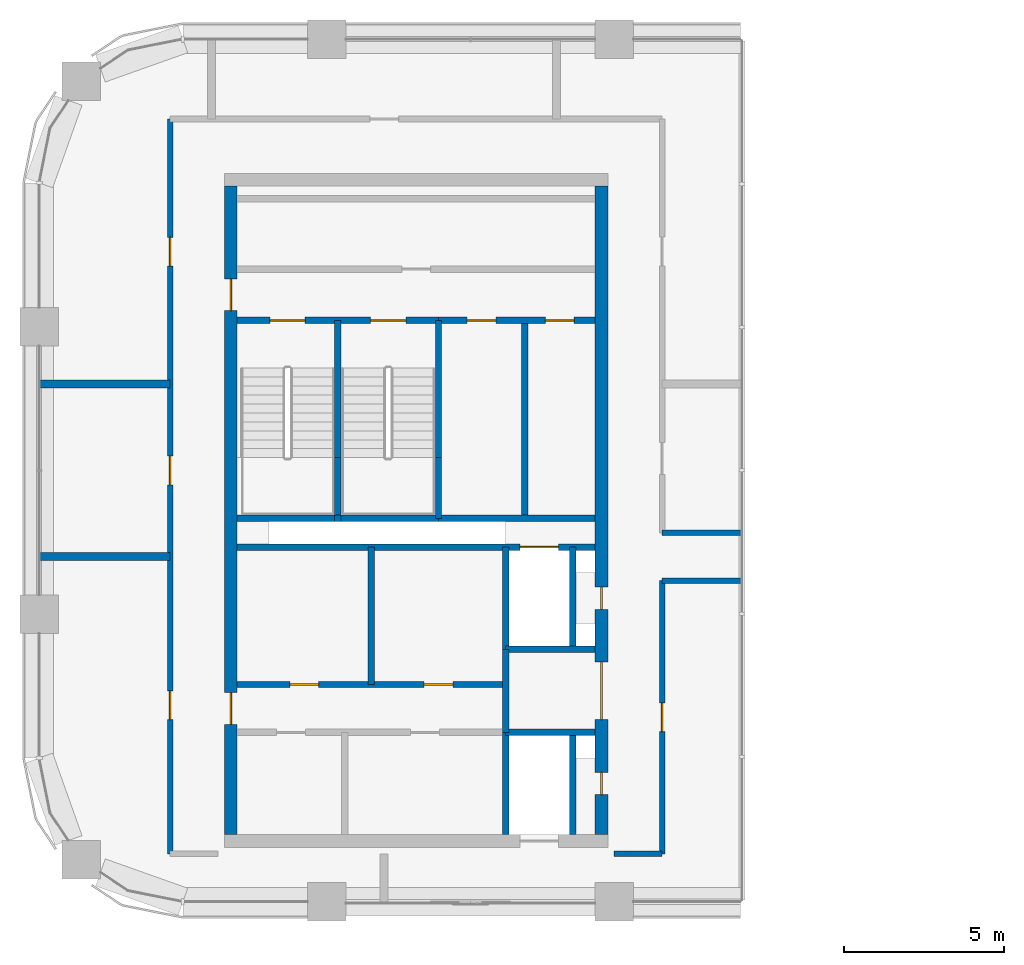
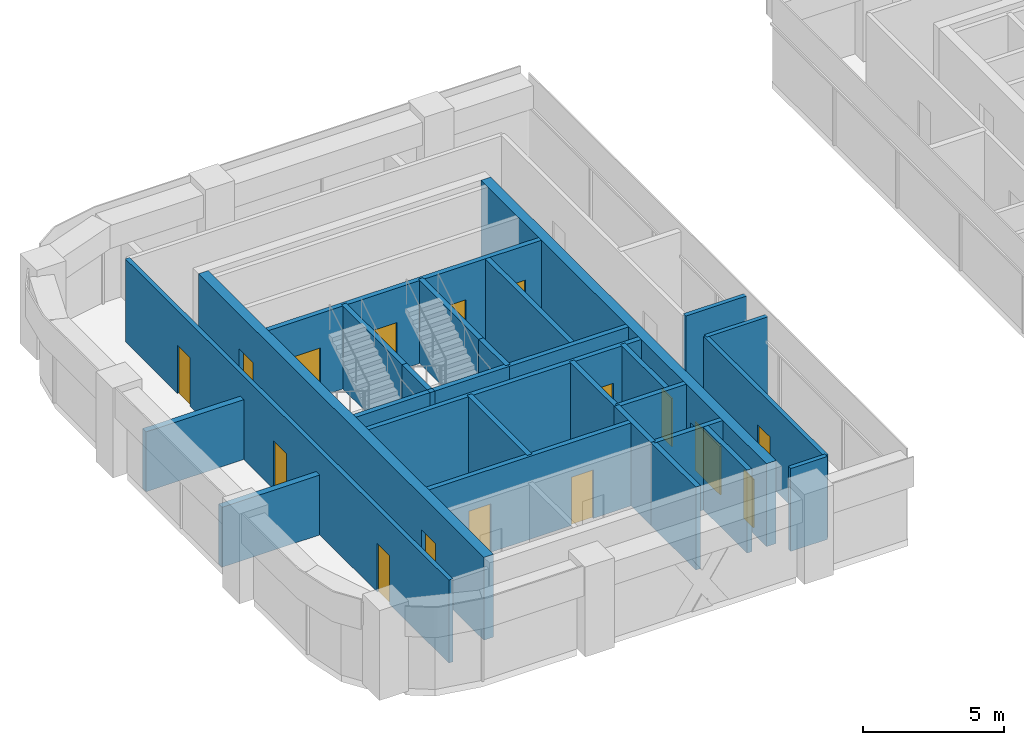
# One storey, part 6 of 12: 30 walls, 16 doors, 16 openings.
"""IFC4 building model written with IfcOpenShell, lengths in metres."""

import ifcopenshell
import ifcopenshell.guid

model = None  # the IFC model being written
_history = None  # IfcOwnerHistory: only IFC2X3 demands one
_inside = {}  # id of a spatial element -> (the spatial element, [elements in it])
_under = {}  # id of a project, library or spatial element -> (it, [spatial elements below it])
_declared = {}  # id of a project -> (the project, [libraries it declares])
_typed = {}  # id of a type object -> (the type object, [elements of that type])
_made_of = {}  # id of a material, layer set ... -> (it, [elements and type objects made of it])


def new_model(schema):
    """Start an empty IFC model of exactly this schema.

    Asked for "IFC4X3", IfcOpenShell would pick the latest addendum, in which some entities
    have other attributes; the version numbers below select the first issue.
    IFC2X3 requires an IfcOwnerHistory on every rooted entity: one is made here for all.
    """
    global model, _history
    if schema == "IFC4X3":
        model = ifcopenshell.file(schema_version=(4, 3, 0, 0))
    else:
        model = ifcopenshell.file(schema=schema)
    _inside.clear()
    _under.clear()
    _declared.clear()
    _typed.clear()
    _made_of.clear()
    _history = None
    if model.schema == "IFC2X3":
        org = make("IfcOrganization", Name="unknown")
        user = make(
            "IfcPersonAndOrganization",
            ThePerson=make("IfcPerson", FamilyName="unknown"),
            TheOrganization=org,
        )
        app = make(
            "IfcApplication",
            ApplicationDeveloper=org,
            Version="unknown",
            ApplicationFullName="unknown",
            ApplicationIdentifier="unknown",
        )
        _history = make(
            "IfcOwnerHistory",
            OwningUser=user,
            OwningApplication=app,
            ChangeAction="ADDED",
            CreationDate=0,
        )
    return model


def make(cls, **values):
    """One entity of the class cls with the attributes given. An attribute that is None is left unset."""
    return model.create_entity(
        cls, **{name: value for name, value in values.items() if value is not None}
    )


def rooted(cls, **values):
    """An entity with a GlobalId (a new one), such as an element, a storey or a relation."""
    return make(cls, GlobalId=ifcopenshell.guid.new(), OwnerHistory=_history, **values)


def si_unit(unit_type, name, prefix=None):
    """IfcSIUnit, for example si_unit("LENGTHUNIT", "METRE", prefix="MILLI")."""
    return make("IfcSIUnit", UnitType=unit_type, Prefix=prefix, Name=name)


def assignment(units):
    """IfcUnitAssignment: the units of a project."""
    return None if units is None else make("IfcUnitAssignment", Units=units)


def point(xyz):
    """IfcCartesianPoint."""
    return None if xyz is None else make("IfcCartesianPoint", Coordinates=xyz)


def direction(xyz):
    """IfcDirection."""
    return None if xyz is None else make("IfcDirection", DirectionRatios=xyz)


def frame(location, z_axis=None, x_axis=None):
    """IfcAxis2Placement3D, a coordinate frame: its origin and axes. An axis left out is left unset."""
    return make(
        "IfcAxis2Placement3D",
        Location=point(location),
        Axis=direction(z_axis),
        RefDirection=direction(x_axis),
    )


def frame_2d(location, x_axis=None):
    """IfcAxis2Placement2D, a coordinate frame in the plane: its origin and x axis."""
    return make(
        "IfcAxis2Placement2D", Location=point(location), RefDirection=direction(x_axis)
    )


def origin():
    """The frame at (0, 0, 0) with its axes left unset."""
    return frame((0.0, 0.0, 0.0))


def place(relative_to, where):
    """IfcLocalPlacement: puts the frame where relative to a parent placement (None: the world)."""
    return make(
        "IfcLocalPlacement", PlacementRelTo=relative_to, RelativePlacement=where
    )


def context(
    kind, dimensions, precision=None, world=None, true_north=None, identifier=None
):
    """IfcGeometricRepresentationContext, for example the 3D "Model" context."""
    return make(
        "IfcGeometricRepresentationContext",
        ContextIdentifier=identifier,
        ContextType=kind,
        CoordinateSpaceDimension=dimensions,
        Precision=precision,
        WorldCoordinateSystem=world,
        TrueNorth=true_north,
    )


def subcontext(parent, identifier, kind, view, scale=None):
    """IfcGeometricRepresentationSubContext, for example "Body" below "Model"."""
    return make(
        "IfcGeometricRepresentationSubContext",
        ContextIdentifier=identifier,
        ContextType=kind,
        ParentContext=parent,
        TargetScale=scale,
        TargetView=view,
    )


def project(units=None, contexts=None):
    """IfcProject with its units and contexts."""
    return rooted(
        "IfcProject",
        Name="project",
        RepresentationContexts=contexts,
        UnitsInContext=assignment(units),
    )


def spatial(cls, under=None, at=None, **own):
    """A site, building, storey or space (cls), placed at a placement, below another one or the project."""
    s = rooted(cls, ObjectPlacement=at, **own)
    if under is not None:
        _under.setdefault(under.id(), (under, []))[1].append(s)
    return s


def profile(cls, at=None, kind="AREA", **sizes):
    """A parametric profile (cls). Its sizes go by their IFC names, for example OverallWidth=200.0."""
    return make(cls, ProfileType=kind, Position=at, **sizes)


def rectangle(**sizes):
    """IfcRectangleProfileDef."""
    return profile("IfcRectangleProfileDef", **sizes)


def extrude(swept, where, along, depth):
    """IfcExtrudedAreaSolid: the profile swept, set in the frame where, extruded along a direction by depth."""
    return make(
        "IfcExtrudedAreaSolid",
        SweptArea=swept,
        Position=where,
        ExtrudedDirection=direction(along),
        Depth=depth,
    )


def shape(context_of_items, identifier, shape_type, items):
    """IfcShapeRepresentation: the items that make up one representation, for example the "Body"."""
    return make(
        "IfcShapeRepresentation",
        ContextOfItems=context_of_items,
        RepresentationIdentifier=identifier,
        RepresentationType=shape_type,
        Items=items,
    )


def material(Name=None, Category=None):
    """IfcMaterial."""
    return make("IfcMaterial", Name=Name, Category=Category)


def layer(
    of_material, thickness, ventilated=None, Name=None, Category=None, Priority=None
):
    """IfcMaterialLayer: one layer of a wall or slab, of a material (None: an air gap)."""
    return make(
        "IfcMaterialLayer",
        Material=of_material,
        LayerThickness=thickness,
        IsVentilated=ventilated,
        Name=Name,
        Category=Category,
        Priority=Priority,
    )


def layer_set(layers, Name=None):
    """IfcMaterialLayerSet."""
    return make("IfcMaterialLayerSet", MaterialLayers=layers, LayerSetName=Name)


def made_of(thing, what):
    """Note that an element or type object is made of a material, layer set ...; save() writes the relation."""
    if what is not None:
        _made_of.setdefault(what.id(), (what, []))[1].append(thing)
    return thing


def type_object(cls, material=None, **own):
    """A type object (cls), such as IfcWallType, which elements share."""
    return made_of(rooted(cls, **own), material)


def element(
    cls,
    number,
    at=None,
    inside=None,
    cuts=None,
    type_object=None,
    material=None,
    context=None,
    identifier="Body",
    shape_type=None,
    held_by="IfcProductDefinitionShape",
    body=None,
    shapes=None,
    **own,
):
    """One element of the class cls, such as IfcWall. Its Tag is "e" and its number.

    at: its placement. inside: the storey or other place that contains it. cuts: it is an
    opening in that element (IfcRelVoidsElement). A single representation is given by context,
    identifier, shape_type and body (its items); several are given by shapes. held_by: the class
    of the entity that holds the representations. save() writes the other relations.
    """
    e = rooted(cls, Tag="e%d" % number, ObjectPlacement=at, **own)
    if body is not None:
        shapes = [shape(context, identifier, shape_type, body)]
    if shapes is not None:
        e.Representation = make(held_by, Representations=shapes)
    if inside is not None:
        _inside.setdefault(inside.id(), (inside, []))[1].append(e)
    if cuts is not None:
        rooted(
            "IfcRelVoidsElement", RelatingBuildingElement=cuts, RelatedOpeningElement=e
        )
    if type_object is not None:
        _typed.setdefault(type_object.id(), (type_object, []))[1].append(e)
    return made_of(e, material)


def fill(opening, filler):
    """IfcRelFillsElement: the door or window that sits in an opening."""
    return rooted(
        "IfcRelFillsElement",
        RelatingOpeningElement=opening,
        RelatedBuildingElement=filler,
    )


def aggregate(whole, parts):
    """IfcRelAggregates: a whole, such as a stair, and the parts it consists of."""
    return rooted("IfcRelAggregates", RelatingObject=whole, RelatedObjects=parts)


def save(model, path):
    """Write the relations noted so far, then the file.

    IfcRelAggregates (storeys below a building ...), IfcRelContainedInSpatialStructure (elements
    in a storey), IfcRelDefinesByType, IfcRelAssociatesMaterial and IfcRelDeclares: one each for
    every whole, place, type object, material and project.
    """
    for whole, parts in _under.values():
        aggregate(whole, parts)
    for where, things in _inside.values():
        rooted(
            "IfcRelContainedInSpatialStructure",
            RelatedElements=things,
            RelatingStructure=where,
        )
    for kind, things in _typed.values():
        rooted("IfcRelDefinesByType", RelatedObjects=things, RelatingType=kind)
    for what, things in _made_of.values():
        rooted("IfcRelAssociatesMaterial", RelatedObjects=things, RelatingMaterial=what)
    for by, libraries in _declared.values():
        rooted("IfcRelDeclares", RelatingContext=by, RelatedDefinitions=libraries)
    model.write(path)


model = new_model("IFC4")

# Units and contexts
model_context = context("Model", 3, precision=1e-05, world=origin(), true_north=direction((0.0, 1.0)))
body_context = subcontext(model_context, "Body", "Model", "MODEL_VIEW")
ifc_project = project(units=[si_unit("LENGTHUNIT", "METRE"), si_unit("AREAUNIT", "SQUARE_METRE"), si_unit("VOLUMEUNIT", "CUBIC_METRE"), si_unit("PLANEANGLEUNIT", "RADIAN"), si_unit("MASSUNIT", "GRAM", prefix="KILO")], contexts=[model_context])

# Site, building, storey
site_placement = place(None, origin())
site = spatial("IfcSite", under=ifc_project, at=site_placement, CompositionType="ELEMENT")
building_placement = place(site_placement, origin())
building = spatial("IfcBuilding", under=site, at=building_placement, Name="Tessera Arch", CompositionType="ELEMENT")
storey_placement = place(building_placement, frame((0.0, 0.0, 207.199951171875)))
storey = spatial("IfcBuildingStorey", under=building, at=storey_placement, Name="L49", CompositionType="ELEMENT", Elevation=207.199951171875)

# Walls
ifc_material_1 = material(Name="Gypsum board on steel stud", Category="steel")
ifc_layer_1 = layer(ifc_material_1, 0.125)
ifc_layer_set_1 = layer_set([ifc_layer_1], Name="Core partition 125 EI 60")
wall_type_1 = type_object("IfcWallType", Name="Core partition 125 EI 60", PredefinedType="PARTITIONING", material=ifc_layer_set_1)
wall_1_placement = place(storey_placement, frame((10.39990234375, 33.800048828125, 0.0), z_axis=(0.0, 0.0, 1.0), x_axis=(0.0, 1.0, 0.0)))
element("IfcWall", 1, at=wall_1_placement, inside=storey, type_object=wall_type_1, Name="L49 C2 partition wall 4", PredefinedType="PARTITIONING", context=body_context, shape_type="SweptSolid", body=[
    extrude(rectangle(XDim=4.300048828125, YDim=0.199951171875, at=frame_2d((2.14990234375, 0.0))), origin(), (0.0, 0.0, 1.0), 3.60009765625),
])
wall_2_placement = place(storey_placement, frame((14.60009765625, 32.300048828125, 0.0), z_axis=(0.0, 0.0, 1.0), x_axis=(0.0, 1.0, 0.0)))
element("IfcWall", 2, at=wall_2_placement, inside=storey, type_object=wall_type_1, Name="L49 C2 partition wall 7", PredefinedType="PARTITIONING", context=body_context, shape_type="SweptSolid", body=[
    extrude(rectangle(XDim=2.599853515625, YDim=0.199951171875, at=frame_2d((1.2998046875, 0.0))), origin(), (0.0, 0.0, 1.0), 3.60009765625),
])
wall_3_placement = place(storey_placement, frame((15.195068359375, 39.0, 0.0), z_axis=(0.0, 0.0, 1.0), x_axis=(0.0, 1.0, 0.0)))
element("IfcWall", 3, at=wall_3_placement, inside=storey, type_object=wall_type_1, Name="L49 C2 partition wall 10", PredefinedType="PARTITIONING", context=body_context, shape_type="SweptSolid", body=[
    extrude(rectangle(XDim=6.199951171875, YDim=0.199951171875, at=frame_2d((3.10009765625, 0.0))), origin(), (0.0, 0.0, 1.0), 3.60009765625),
])

# Wall, openings, doors
wall_4_placement = place(storey_placement, frame((6.199951171875, 33.800048828125, 0.0), z_axis=(0.0, 0.0, 1.0), x_axis=(1.0, 0.0, 0.0)))
wall_4 = element("IfcWall", 4, at=wall_4_placement, inside=storey, type_object=wall_type_1, Name="L49 C2 partition wall 15", PredefinedType="PARTITIONING", context=body_context, shape_type="SweptSolid", body=[
    extrude(rectangle(XDim=8.400146484375, YDim=0.199951171875, at=frame_2d((4.2001953125, 0.0))), origin(), (0.0, 0.0, 1.0), 3.60009765625),
])
opening_1_placement = place(wall_4_placement, frame((1.64990234375, 0.0, 0.0)))
opening_1 = element("IfcOpeningElement", 5, at=opening_1_placement, cuts=wall_4, Name="Opening L49-C34", PredefinedType="OPENING", context=body_context, shape_type="SweptSolid", body=[
    extrude(rectangle(XDim=0.89990234375, YDim=2.10009765625, at=frame_2d((0.449951171875, 1.050048828125))), frame((0.0, 0.10986328125, 0.0), z_axis=(0.0, -1.0, 0.0), x_axis=(1.0, 0.0, 0.0)), (0.0, 0.0, 1.0), 0.219970703125),
])
opening_2_placement = place(wall_4_placement, frame((5.85009765625, 0.0, 0.0)))
opening_2 = element("IfcOpeningElement", 6, at=opening_2_placement, cuts=wall_4, Name="Opening L49-C35", PredefinedType="OPENING", context=body_context, shape_type="SweptSolid", body=[
    extrude(rectangle(XDim=0.89990234375, YDim=2.10009765625, at=frame_2d((0.449951171875, 1.050048828125))), frame((0.0, 0.10986328125, 0.0), z_axis=(0.0, -1.0, 0.0), x_axis=(1.0, 0.0, 0.0)), (0.0, 0.0, 1.0), 0.219970703125),
])
ifc_material_2 = material(Name="Steel door leaf", Category="steel")
door_type_1 = type_object("IfcDoorType", Name="Store door FD30S 900 x 2100", OperationType="SINGLE_SWING_LEFT", PredefinedType="DOOR", material=ifc_material_2)
door_1_placement = place(opening_1_placement, origin())
door_1 = element("IfcDoor", 7, at=door_1_placement, inside=storey, type_object=door_type_1, Name="L49 C2 door 15 C34 type D09", OperationType="SINGLE_SWING_LEFT", OverallHeight=2.10009765625, OverallWidth=0.89990234375, PredefinedType="DOOR", context=body_context, shape_type="SweptSolid", body=[
    extrude(rectangle(XDim=0.89990234375, YDim=2.10009765625, at=frame_2d((0.449951171875, 1.050048828125))), frame((0.0, 0.02490234375, 0.0), z_axis=(0.0, -1.0, 0.0), x_axis=(1.0, 0.0, 0.0)), (0.0, 0.0, 1.0), 0.050048828125),
])
fill(opening_1, door_1)
door_2_placement = place(opening_2_placement, origin())
door_2 = element("IfcDoor", 8, at=door_2_placement, inside=storey, type_object=door_type_1, Name="L49 C2 door 16 C35 type D09", OperationType="SINGLE_SWING_RIGHT", OverallHeight=2.10009765625, OverallWidth=0.89990234375, PredefinedType="DOOR", context=body_context, shape_type="SweptSolid", body=[
    extrude(rectangle(XDim=0.89990234375, YDim=2.10009765625, at=frame_2d((0.449951171875, 1.050048828125))), frame((0.0, 0.02490234375, 0.0), z_axis=(0.0, -1.0, 0.0), x_axis=(1.0, 0.0, 0.0)), (0.0, 0.0, 1.0), 0.050048828125),
])
fill(opening_2, door_2)

wall_5_placement = place(storey_placement, frame((12.5, 45.199951171875, 0.0), z_axis=(0.0, 0.0, 1.0), x_axis=(1.0, 0.0, 0.0)))
wall_5 = element("IfcWall", 9, at=wall_5_placement, inside=storey, type_object=wall_type_1, Name="L49 C2 partition wall 22", PredefinedType="PARTITIONING", context=body_context, shape_type="SweptSolid", body=[
    extrude(rectangle(XDim=4.89990234375, YDim=0.199951171875, at=frame_2d((2.449951171875, 0.0))), origin(), (0.0, 0.0, 1.0), 3.60009765625),
])
opening_3_placement = place(wall_5_placement, frame((0.8974609375, 0.0, 0.0)))
opening_3 = element("IfcOpeningElement", 10, at=opening_3_placement, cuts=wall_5, Name="Opening L49-C30", PredefinedType="OPENING", context=body_context, shape_type="SweptSolid", body=[
    extrude(rectangle(XDim=0.89990234375, YDim=2.10009765625, at=frame_2d((0.449951171875, 1.050048828125))), frame((0.0, 0.10986328125, 0.0), z_axis=(0.0, -1.0, 0.0), x_axis=(1.0, 0.0, 0.0)), (0.0, 0.0, 1.0), 0.219970703125),
])
opening_4_placement = place(wall_5_placement, frame((3.347412109375, 0.0, 0.0)))
opening_4 = element("IfcOpeningElement", 11, at=opening_4_placement, cuts=wall_5, Name="Opening L49-C31", PredefinedType="OPENING", context=body_context, shape_type="SweptSolid", body=[
    extrude(rectangle(XDim=0.89990234375, YDim=2.10009765625, at=frame_2d((0.449951171875, 1.050048828125))), frame((0.0, 0.10986328125, 0.0), z_axis=(0.0, -1.0, 0.0), x_axis=(1.0, 0.0, 0.0)), (0.0, 0.0, 1.0), 0.219970703125),
])
door_3_placement = place(opening_3_placement, origin())
door_3 = element("IfcDoor", 12, at=door_3_placement, inside=storey, type_object=door_type_1, Name="L49 C2 door 11 C30 type D09", OperationType="SINGLE_SWING_LEFT", OverallHeight=2.10009765625, OverallWidth=0.89990234375, PredefinedType="DOOR", context=body_context, shape_type="SweptSolid", body=[
    extrude(rectangle(XDim=0.89990234375, YDim=2.10009765625, at=frame_2d((0.449951171875, 1.050048828125))), frame((0.0, 0.02490234375, 0.0), z_axis=(0.0, -1.0, 0.0), x_axis=(1.0, 0.0, 0.0)), (0.0, 0.0, 1.0), 0.050048828125),
])
fill(opening_3, door_3)
door_4_placement = place(opening_4_placement, origin())
door_4 = element("IfcDoor", 13, at=door_4_placement, inside=storey, type_object=door_type_1, Name="L49 C2 door 12 C31 type D09", OperationType="SINGLE_SWING_RIGHT", OverallHeight=2.10009765625, OverallWidth=0.89990234375, PredefinedType="DOOR", context=body_context, shape_type="SweptSolid", body=[
    extrude(rectangle(XDim=0.89990234375, YDim=2.10009765625, at=frame_2d((0.449951171875, 1.050048828125))), frame((0.0, 0.02490234375, 0.0), z_axis=(0.0, -1.0, 0.0), x_axis=(1.0, 0.0, 0.0)), (0.0, 0.0, 1.0), 0.050048828125),
])
fill(opening_4, door_4)

ifc_material_3 = material(Name="Concrete C50/60", Category="concrete")
ifc_layer_2 = layer(ifc_material_3, 0.39990234375)
ifc_layer_set_2 = layer_set([ifc_layer_2], Name="Core shell wall 400 C50-60")
wall_type_2 = type_object("IfcWallType", Name="Core shell wall 400 C50-60", PredefinedType="SHEAR", material=ifc_layer_set_2)
wall_6_placement = place(storey_placement, frame((6.0, 29.10009765625, 0.0), z_axis=(0.0, 0.0, 1.0), x_axis=(0.0, 1.0, 0.0)))
wall_6 = element("IfcWall", 14, at=wall_6_placement, inside=storey, type_object=wall_type_2, Name="L49 C2 core wall W", PredefinedType="SHEAR", context=body_context, shape_type="SweptSolid", body=[
    extrude(rectangle(XDim=20.2998046875, YDim=0.39990234375, at=frame_2d((10.14990234375, 0.0))), origin(), (0.0, 0.0, 1.0), 3.60009765625),
])
opening_5_placement = place(wall_6_placement, frame((3.449951171875, 0.0, 0.0)))
opening_5 = element("IfcOpeningElement", 15, at=opening_5_placement, cuts=wall_6, Name="Opening L49-C27", PredefinedType="OPENING", context=body_context, shape_type="SweptSolid", body=[
    extrude(rectangle(XDim=1.0, YDim=2.10009765625, at=frame_2d((0.5, 1.050048828125))), frame((0.0, 0.2099609375, 0.0), z_axis=(0.0, -1.0, 0.0), x_axis=(1.0, 0.0, 0.0)), (0.0, 0.0, 1.0), 0.419921875),
])
opening_6_placement = place(wall_6_placement, frame((16.39990234375, 0.0, 0.0)))
opening_6 = element("IfcOpeningElement", 16, at=opening_6_placement, cuts=wall_6, Name="Opening L49-C28", PredefinedType="OPENING", context=body_context, shape_type="SweptSolid", body=[
    extrude(rectangle(XDim=1.0, YDim=2.10009765625, at=frame_2d((0.5, 1.050048828125))), frame((0.0, 0.2099609375, 0.0), z_axis=(0.0, -1.0, 0.0), x_axis=(1.0, 0.0, 0.0)), (0.0, 0.0, 1.0), 0.419921875),
])
ifc_material_4 = material(Name="Steel door leaf", Category="steel")
door_type_2 = type_object("IfcDoorType", Name="Corridor door FD60 1000 x 2100", OperationType="SINGLE_SWING_LEFT", PredefinedType="DOOR", material=ifc_material_4)
door_5_placement = place(opening_5_placement, origin())
door_5 = element("IfcDoor", 17, at=door_5_placement, inside=storey, type_object=door_type_2, Name="L49 C2 door 8 C27 type D12", OperationType="SINGLE_SWING_LEFT", OverallHeight=2.10009765625, OverallWidth=1.0, PredefinedType="DOOR", context=body_context, shape_type="SweptSolid", body=[
    extrude(rectangle(XDim=1.0, YDim=2.10009765625, at=frame_2d((0.5, 1.050048828125))), frame((0.0, 0.02490234375, 0.0), z_axis=(0.0, -1.0, 0.0), x_axis=(1.0, 0.0, 0.0)), (0.0, 0.0, 1.0), 0.050048828125),
])
fill(opening_5, door_5)
door_6_placement = place(opening_6_placement, origin())
door_6 = element("IfcDoor", 18, at=door_6_placement, inside=storey, type_object=door_type_2, Name="L49 C2 door 9 C28 type D12", OperationType="SINGLE_SWING_RIGHT", OverallHeight=2.10009765625, OverallWidth=1.0, PredefinedType="DOOR", context=body_context, shape_type="SweptSolid", body=[
    extrude(rectangle(XDim=1.0, YDim=2.10009765625, at=frame_2d((0.5, 1.050048828125))), frame((0.0, 0.02490234375, 0.0), z_axis=(0.0, -1.0, 0.0), x_axis=(1.0, 0.0, 0.0)), (0.0, 0.0, 1.0), 0.050048828125),
])
fill(opening_6, door_6)

wall_7_placement = place(storey_placement, frame((17.60009765625, 29.10009765625, 0.0), z_axis=(0.0, 0.0, 1.0), x_axis=(0.0, 1.0, 0.0)))
wall_7 = element("IfcWall", 19, at=wall_7_placement, inside=storey, type_object=wall_type_2, Name="L49 C2 core wall E", PredefinedType="SHEAR", context=body_context, shape_type="SweptSolid", body=[
    extrude(rectangle(XDim=20.2998046875, YDim=0.39990234375, at=frame_2d((10.14990234375, 0.0))), origin(), (0.0, 0.0, 1.0), 3.60009765625),
])
opening_7_placement = place(wall_7_placement, frame((1.25, 0.0, 0.0)))
opening_7 = element("IfcOpeningElement", 20, at=opening_7_placement, cuts=wall_7, Name="Opening L49-C22", PredefinedType="OPENING", context=body_context, shape_type="SweptSolid", body=[
    extrude(rectangle(XDim=0.699951171875, YDim=2.10009765625, at=frame_2d((0.35009765625, 1.050048828125))), frame((0.0, 0.2099609375, 0.0), z_axis=(0.0, -1.0, 0.0), x_axis=(1.0, 0.0, 0.0)), (0.0, 0.0, 1.0), 0.419921875),
])
opening_8_placement = place(wall_7_placement, frame((7.050048828125, 0.0, 0.0)))
opening_8 = element("IfcOpeningElement", 21, at=opening_8_placement, cuts=wall_7, Name="Opening L49-C23", PredefinedType="OPENING", context=body_context, shape_type="SweptSolid", body=[
    extrude(rectangle(XDim=0.699951171875, YDim=2.10009765625, at=frame_2d((0.35009765625, 1.050048828125))), frame((0.0, 0.2099609375, 0.0), z_axis=(0.0, -1.0, 0.0), x_axis=(1.0, 0.0, 0.0)), (0.0, 0.0, 1.0), 0.419921875),
])
opening_9_placement = place(wall_7_placement, frame((3.60009765625, 0.0, 0.0)))
opening_9 = element("IfcOpeningElement", 22, at=opening_9_placement, cuts=wall_7, Name="Opening L49-C26", PredefinedType="OPENING", context=body_context, shape_type="SweptSolid", body=[
    extrude(rectangle(XDim=1.800048828125, YDim=2.10009765625, at=frame_2d((0.89990234375, 1.050048828125))), frame((0.0, 0.2099609375, 0.0), z_axis=(0.0, -1.0, 0.0), x_axis=(1.0, 0.0, 0.0)), (0.0, 0.0, 1.0), 0.419921875),
])
ifc_material_5 = material(Name="Glazed steel door leaf", Category="steel")
door_type_3 = type_object("IfcDoorType", Name="Lobby double door FD30S 1800 x 2100", OperationType="DOUBLE_DOOR_SINGLE_SWING", PredefinedType="DOOR", material=ifc_material_5)
door_7_placement = place(opening_9_placement, origin())
door_7 = element("IfcDoor", 23, at=door_7_placement, inside=storey, type_object=door_type_3, Name="L49 C2 door 7 C26 type D06", OperationType="DOUBLE_DOOR_SINGLE_SWING", OverallHeight=2.10009765625, OverallWidth=1.800048828125, PredefinedType="DOOR", context=body_context, shape_type="SweptSolid", body=[
    extrude(rectangle(XDim=1.800048828125, YDim=2.10009765625, at=frame_2d((0.89990234375, 1.050048828125))), frame((0.0, 0.02490234375, 0.0), z_axis=(0.0, -1.0, 0.0), x_axis=(1.0, 0.0, 0.0)), (0.0, 0.0, 1.0), 0.050048828125),
])
fill(opening_9, door_7)
ifc_material_6 = material(Name="Steel door leaf", Category="steel")
door_type_4 = type_object("IfcDoorType", Name="Service shaft door FD60 700 x 2100", OperationType="SINGLE_SWING_LEFT", PredefinedType="DOOR", material=ifc_material_6)
door_8_placement = place(opening_7_placement, origin())
door_8 = element("IfcDoor", 24, at=door_8_placement, inside=storey, type_object=door_type_4, Name="L49 C2 door 3 C22 type D07", OperationType="SINGLE_SWING_LEFT", OverallHeight=2.10009765625, OverallWidth=0.699951171875, PredefinedType="DOOR", context=body_context, shape_type="SweptSolid", body=[
    extrude(rectangle(XDim=0.699951171875, YDim=2.10009765625, at=frame_2d((0.35009765625, 1.050048828125))), frame((0.0, 0.02490234375, 0.0), z_axis=(0.0, -1.0, 0.0), x_axis=(1.0, 0.0, 0.0)), (0.0, 0.0, 1.0), 0.050048828125),
])
fill(opening_7, door_8)
door_9_placement = place(opening_8_placement, origin())
door_9 = element("IfcDoor", 25, at=door_9_placement, inside=storey, type_object=door_type_4, Name="L49 C2 door 4 C23 type D07", OperationType="SINGLE_SWING_LEFT", OverallHeight=2.10009765625, OverallWidth=0.699951171875, PredefinedType="DOOR", context=body_context, shape_type="SweptSolid", body=[
    extrude(rectangle(XDim=0.699951171875, YDim=2.10009765625, at=frame_2d((0.35009765625, 1.050048828125))), frame((0.0, 0.02490234375, 0.0), z_axis=(0.0, -1.0, 0.0), x_axis=(1.0, 0.0, 0.0)), (0.0, 0.0, 1.0), 0.050048828125),
])
fill(opening_8, door_9)

# Walls
ifc_material_7 = material(Name="Gypsum board on deep steel stud with mineral wool", Category="steel")
ifc_layer_3 = layer(ifc_material_7, 0.175048828125)
ifc_layer_set_3 = layer_set([ifc_layer_3], Name="Corridor wall 175 EI 60")
wall_type_3 = type_object("IfcWallType", Name="Corridor wall 175 EI 60", PredefinedType="PARTITIONING", material=ifc_layer_set_3)
wall_8_placement = place(storey_placement, frame((18.0, 28.5, 0.0), z_axis=(0.0, 0.0, 1.0), x_axis=(1.0, 0.0, 0.0)))
element("IfcWall", 26, at=wall_8_placement, inside=storey, type_object=wall_type_3, Name="L49 partition 2", PredefinedType="PARTITIONING", context=body_context, shape_type="SweptSolid", body=[
    extrude(rectangle(XDim=1.5, YDim=0.175048828125, at=frame_2d((0.75, 0.0))), origin(), (0.0, 0.0, 1.0), 3.60009765625),
])
for number, where, z_axis, x_axis, name in (
    (27, (19.5, 37.050048828125, 0.0), (0.0, 0.0, 1.0), (1.0, 0.0, 0.0), "L49 partition 5"),
    (28, (19.5, 38.550048828125, 0.0), (0.0, 0.0, 1.0), (1.0, 0.0, 0.0), "L49 partition 7"),
):
    element("IfcWall", number, at=place(storey_placement, frame(where, z_axis=z_axis, x_axis=x_axis)), inside=storey, type_object=wall_type_3, Name=name, PredefinedType="PARTITIONING", context=body_context, shape_type="SweptSolid", body=[
        extrude(rectangle(XDim=2.5, YDim=0.175048828125, at=frame_2d((1.25, 0.0))), origin(), (0.0, 0.0, 1.0), 3.60009765625),
    ])

# Wall, openings, doors
wall_9_placement = place(storey_placement, frame((4.10009765625, 28.5, 0.0), z_axis=(0.0, 0.0, 1.0), x_axis=(0.0, 1.0, 0.0)))
wall_9 = element("IfcWall", 29, at=wall_9_placement, inside=storey, type_object=wall_type_3, Name="L49 partition 11", PredefinedType="PARTITIONING", context=body_context, shape_type="SweptSolid", body=[
    extrude(rectangle(XDim=23.0, YDim=0.175048828125, at=frame_2d((11.5, 0.0))), origin(), (0.0, 0.0, 1.0), 3.60009765625),
])
opening_10_placement = place(wall_9_placement, frame((4.199951171875, 0.0, 0.0)))
opening_10 = element("IfcOpeningElement", 30, at=opening_10_placement, cuts=wall_9, Name="Opening L49-D005", PredefinedType="OPENING", context=body_context, shape_type="SweptSolid", body=[
    extrude(rectangle(XDim=0.89990234375, YDim=2.10009765625, at=frame_2d((0.449951171875, 1.050048828125))), frame((0.0, 0.097412109375, 0.0), z_axis=(0.0, -1.0, 0.0), x_axis=(1.0, 0.0, 0.0)), (0.0, 0.0, 1.0), 0.195068359375),
])
opening_11_placement = place(wall_9_placement, frame((11.550048828125, 0.0, 0.0)))
opening_11 = element("IfcOpeningElement", 31, at=opening_11_placement, cuts=wall_9, Name="Opening L49-D007", PredefinedType="OPENING", context=body_context, shape_type="SweptSolid", body=[
    extrude(rectangle(XDim=0.89990234375, YDim=2.10009765625, at=frame_2d((0.449951171875, 1.050048828125))), frame((0.0, 0.097412109375, 0.0), z_axis=(0.0, -1.0, 0.0), x_axis=(1.0, 0.0, 0.0)), (0.0, 0.0, 1.0), 0.195068359375),
])
opening_12_placement = place(wall_9_placement, frame((18.39990234375, 0.0, 0.0)))
opening_12 = element("IfcOpeningElement", 32, at=opening_12_placement, cuts=wall_9, Name="Opening L49-D010", PredefinedType="OPENING", context=body_context, shape_type="SweptSolid", body=[
    extrude(rectangle(XDim=0.89990234375, YDim=2.10009765625, at=frame_2d((0.449951171875, 1.050048828125))), frame((0.0, 0.097412109375, 0.0), z_axis=(0.0, -1.0, 0.0), x_axis=(1.0, 0.0, 0.0)), (0.0, 0.0, 1.0), 0.195068359375),
])
ifc_material_8 = material(Name="Timber door leaf", Category="wood")
door_type_5 = type_object("IfcDoorType", Name="Room door 900 x 2100", OperationType="SINGLE_SWING_LEFT", PredefinedType="DOOR", material=ifc_material_8)
door_10_placement = place(opening_10_placement, origin())
door_10 = element("IfcDoor", 33, at=door_10_placement, inside=storey, type_object=door_type_5, Name="L49 door D005 type D01", OperationType="SINGLE_SWING_LEFT", OverallHeight=2.10009765625, OverallWidth=0.89990234375, PredefinedType="DOOR", context=body_context, shape_type="SweptSolid", body=[
    extrude(rectangle(XDim=0.89990234375, YDim=2.10009765625, at=frame_2d((0.449951171875, 1.050048828125))), frame((0.0, 0.02490234375, 0.0), z_axis=(0.0, -1.0, 0.0), x_axis=(1.0, 0.0, 0.0)), (0.0, 0.0, 1.0), 0.050048828125),
])
fill(opening_10, door_10)
door_11_placement = place(opening_11_placement, origin())
door_11 = element("IfcDoor", 34, at=door_11_placement, inside=storey, type_object=door_type_5, Name="L49 door D007 type D01", OperationType="SINGLE_SWING_LEFT", OverallHeight=2.10009765625, OverallWidth=0.89990234375, PredefinedType="DOOR", context=body_context, shape_type="SweptSolid", body=[
    extrude(rectangle(XDim=0.89990234375, YDim=2.10009765625, at=frame_2d((0.449951171875, 1.050048828125))), frame((0.0, 0.02490234375, 0.0), z_axis=(0.0, -1.0, 0.0), x_axis=(1.0, 0.0, 0.0)), (0.0, 0.0, 1.0), 0.050048828125),
])
fill(opening_11, door_11)
door_12_placement = place(opening_12_placement, origin())
door_12 = element("IfcDoor", 35, at=door_12_placement, inside=storey, type_object=door_type_5, Name="L49 door D010 type D01", OperationType="SINGLE_SWING_RIGHT", OverallHeight=2.10009765625, OverallWidth=0.89990234375, PredefinedType="DOOR", context=body_context, shape_type="SweptSolid", body=[
    extrude(rectangle(XDim=0.89990234375, YDim=2.10009765625, at=frame_2d((0.449951171875, 1.050048828125))), frame((0.0, 0.02490234375, 0.0), z_axis=(0.0, -1.0, 0.0), x_axis=(1.0, 0.0, 0.0)), (0.0, 0.0, 1.0), 0.050048828125),
])
fill(opening_12, door_12)

# Wall, opening, door
wall_10_placement = place(storey_placement, frame((19.5, 28.5, 0.0), z_axis=(0.0, 0.0, 1.0), x_axis=(0.0, 1.0, 0.0)))
wall_10 = element("IfcWall", 36, at=wall_10_placement, inside=storey, type_object=wall_type_3, Name="L49 partition 12", PredefinedType="PARTITIONING", context=body_context, shape_type="SweptSolid", body=[
    extrude(rectangle(XDim=8.550048828125, YDim=0.175048828125, at=frame_2d((4.27490234375, 0.0))), origin(), (0.0, 0.0, 1.0), 3.60009765625),
])
opening_13_placement = place(wall_10_placement, frame((3.824951171875, 0.0, 0.0)))
opening_13 = element("IfcOpeningElement", 37, at=opening_13_placement, cuts=wall_10, Name="Opening L49-D003", PredefinedType="OPENING", context=body_context, shape_type="SweptSolid", body=[
    extrude(rectangle(XDim=0.89990234375, YDim=2.10009765625, at=frame_2d((0.449951171875, 1.050048828125))), frame((0.0, 0.097412109375, 0.0), z_axis=(0.0, -1.0, 0.0), x_axis=(1.0, 0.0, 0.0)), (0.0, 0.0, 1.0), 0.195068359375),
])
door_13_placement = place(opening_13_placement, origin())
door_13 = element("IfcDoor", 38, at=door_13_placement, inside=storey, type_object=door_type_5, Name="L49 door D003 type D01", OperationType="SINGLE_SWING_RIGHT", OverallHeight=2.10009765625, OverallWidth=0.89990234375, PredefinedType="DOOR", context=body_context, shape_type="SweptSolid", body=[
    extrude(rectangle(XDim=0.89990234375, YDim=2.10009765625, at=frame_2d((0.449951171875, 1.050048828125))), frame((0.0, 0.02490234375, 0.0), z_axis=(0.0, -1.0, 0.0), x_axis=(1.0, 0.0, 0.0)), (0.0, 0.0, 1.0), 0.050048828125),
])
fill(opening_13, door_13)

# Walls
ifc_material_9 = material(Name="Double gypsum board on twin steel stud with acoustic mineral wool", Category="steel")
ifc_layer_4 = layer(ifc_material_9, 0.25)
ifc_layer_set_4 = layer_set([ifc_layer_4], Name="Party wall 250 EI 60")
wall_type_4 = type_object("IfcWallType", Name="Party wall 250 EI 60", PredefinedType="PARTITIONING", material=ifc_layer_set_4)
for number, where, z_axis, x_axis, name in (
    (39, (0.0, 37.800048828125, 0.0), (0.0, 0.0, 1.0), (1.0, 0.0, 0.0), "L49 partition 18"),
    (40, (0.0, 43.199951171875, 0.0), (0.0, 0.0, 1.0), (1.0, 0.0, 0.0), "L49 partition 19"),
):
    element("IfcWall", number, at=place(storey_placement, frame(where, z_axis=z_axis, x_axis=x_axis)), inside=storey, type_object=wall_type_4, Name=name, PredefinedType="PARTITIONING", context=body_context, shape_type="SweptSolid", body=[
        extrude(rectangle(XDim=4.10009765625, YDim=0.25, at=frame_2d((2.050048828125, 0.0))), origin(), (0.0, 0.0, 1.0), 2.60009765625),
    ])
ifc_material_10 = material(Name="Concrete C40/50", Category="concrete")
ifc_layer_5 = layer(ifc_material_10, 0.199951171875)
ifc_layer_set_5 = layer_set([ifc_layer_5], Name="Shaft wall 200 EI 120")
wall_type_5 = type_object("IfcWallType", Name="Shaft wall 200 EI 120", PredefinedType="SOLIDWALL", material=ifc_layer_set_5)
wall_11_placement = place(storey_placement, frame((14.60009765625, 29.10009765625, 0.0), z_axis=(0.0, 0.0, 1.0), x_axis=(0.0, 1.0, 0.0)))
element("IfcWall", 41, at=wall_11_placement, inside=storey, type_object=wall_type_5, Name="L49 C2 shaft wall 8", PredefinedType="SOLIDWALL", context=body_context, shape_type="SweptSolid", body=[
    extrude(rectangle(XDim=3.199951171875, YDim=0.199951171875, at=frame_2d((1.60009765625, 0.0))), origin(), (0.0, 0.0, 1.0), 3.60009765625),
])
wall_12_placement = place(storey_placement, frame((14.60009765625, 34.89990234375, 0.0), z_axis=(0.0, 0.0, 1.0), x_axis=(0.0, 1.0, 0.0)))
element("IfcWall", 42, at=wall_12_placement, inside=storey, type_object=wall_type_5, Name="L49 C2 shaft wall 9", PredefinedType="SOLIDWALL", context=body_context, shape_type="SweptSolid", body=[
    extrude(rectangle(XDim=3.2001953125, YDim=0.199951171875, at=frame_2d((1.60009765625, 0.0))), origin(), (0.0, 0.0, 1.0), 3.60009765625),
])
wall_13_placement = place(storey_placement, frame((16.699951171875, 29.10009765625, 0.0), z_axis=(0.0, 0.0, 1.0), x_axis=(0.0, 1.0, 0.0)))
element("IfcWall", 43, at=wall_13_placement, inside=storey, type_object=wall_type_5, Name="L49 C2 shaft wall 11", PredefinedType="SOLIDWALL", context=body_context, shape_type="SweptSolid", body=[
    extrude(rectangle(XDim=3.199951171875, YDim=0.199951171875, at=frame_2d((1.60009765625, 0.0))), origin(), (0.0, 0.0, 1.0), 3.60009765625),
])
wall_14_placement = place(storey_placement, frame((16.699951171875, 34.89990234375, 0.0), z_axis=(0.0, 0.0, 1.0), x_axis=(0.0, 1.0, 0.0)))
element("IfcWall", 44, at=wall_14_placement, inside=storey, type_object=wall_type_5, Name="L49 C2 shaft wall 12", PredefinedType="SOLIDWALL", context=body_context, shape_type="SweptSolid", body=[
    extrude(rectangle(XDim=3.2001953125, YDim=0.199951171875, at=frame_2d((1.60009765625, 0.0))), origin(), (0.0, 0.0, 1.0), 3.60009765625),
])
for number, where, z_axis, x_axis, name in (
    (45, (14.60009765625, 32.300048828125, 0.0), (0.0, 0.0, 1.0), (1.0, 0.0, 0.0), "L49 C2 shaft wall 14"),
    (46, (14.60009765625, 34.89990234375, 0.0), (0.0, 0.0, 1.0), (1.0, 0.0, 0.0), "L49 C2 shaft wall 16"),
):
    element("IfcWall", number, at=place(storey_placement, frame(where, z_axis=z_axis, x_axis=x_axis)), inside=storey, type_object=wall_type_5, Name=name, PredefinedType="SOLIDWALL", context=body_context, shape_type="SweptSolid", body=[
        extrude(rectangle(XDim=2.7998046875, YDim=0.199951171875, at=frame_2d((1.39990234375, 0.0))), origin(), (0.0, 0.0, 1.0), 3.60009765625),
    ])

# Wall, opening, door
wall_15_placement = place(storey_placement, frame((6.199951171875, 38.10009765625, 0.0), z_axis=(0.0, 0.0, 1.0), x_axis=(1.0, 0.0, 0.0)))
wall_15 = element("IfcWall", 47, at=wall_15_placement, inside=storey, type_object=wall_type_5, Name="L49 C2 shaft wall 17", PredefinedType="SOLIDWALL", context=body_context, shape_type="SweptSolid", body=[
    extrude(rectangle(XDim=11.199951171875, YDim=0.199951171875, at=frame_2d((5.60009765625, 0.0))), origin(), (0.0, 0.0, 1.0), 3.60009765625),
])
opening_14_placement = place(wall_15_placement, frame((8.85009765625, 0.0, 0.0)))
opening_14 = element("IfcOpeningElement", 48, at=opening_14_placement, cuts=wall_15, Name="Opening L49-C21", PredefinedType="OPENING", context=body_context, shape_type="SweptSolid", body=[
    extrude(rectangle(XDim=1.199951171875, YDim=2.10009765625, at=frame_2d((0.60009765625, 1.050048828125))), frame((0.0, 0.10986328125, 0.0), z_axis=(0.0, -1.0, 0.0), x_axis=(1.0, 0.0, 0.0)), (0.0, 0.0, 1.0), 0.219970703125),
])
ifc_material_11 = material(Name="Stainless steel AISI 304", Category="steel")
door_type_6 = type_object("IfcDoorType", Name="Sliding landing door 1200 x 2100", OperationType="SLIDING_TO_LEFT", PredefinedType="DOOR", material=ifc_material_11)
door_14_placement = place(opening_14_placement, origin())
door_14 = element("IfcDoor", 49, at=door_14_placement, inside=storey, type_object=door_type_6, Name="L49 HR8 lift landing door C21 type LD", OperationType="SLIDING_TO_LEFT", OverallHeight=2.10009765625, OverallWidth=1.199951171875, PredefinedType="DOOR", context=body_context, shape_type="SweptSolid", body=[
    extrude(rectangle(XDim=1.199951171875, YDim=2.10009765625, at=frame_2d((0.60009765625, 1.050048828125))), frame((0.0, 0.02490234375, 0.0), z_axis=(0.0, -1.0, 0.0), x_axis=(1.0, 0.0, 0.0)), (0.0, 0.0, 1.0), 0.050048828125),
])
fill(opening_14, door_14)

# Walls
wall_16_placement = place(storey_placement, frame((12.5, 39.0, 0.0), z_axis=(0.0, 0.0, 1.0), x_axis=(1.0, 0.0, 0.0)))
element("IfcWall", 50, at=wall_16_placement, inside=storey, type_object=wall_type_5, Name="L49 C2 shaft wall 18", PredefinedType="SOLIDWALL", context=body_context, shape_type="SweptSolid", body=[
    extrude(rectangle(XDim=4.89990234375, YDim=0.199951171875, at=frame_2d((2.449951171875, 0.0))), origin(), (0.0, 0.0, 1.0), 3.60009765625),
])
ifc_material_12 = material(Name="Concrete C40/50", Category="concrete")
ifc_layer_6 = layer(ifc_material_12, 0.199951171875)
ifc_layer_set_6 = layer_set([ifc_layer_6], Name="Stair well wall 200 REI 180")
wall_type_6 = type_object("IfcWallType", Name="Stair well wall 200 REI 180", PredefinedType="SOLIDWALL", material=ifc_layer_set_6)
wall_17_placement = place(storey_placement, frame((9.35009765625, 39.0, 0.0), z_axis=(0.0, 0.0, 1.0), x_axis=(0.0, 1.0, 0.0)))
element("IfcWall", 51, at=wall_17_placement, inside=storey, type_object=wall_type_6, Name="L49 C2 shaft wall 1", PredefinedType="SOLIDWALL", context=body_context, shape_type="SweptSolid", body=[
    extrude(rectangle(XDim=1.89990234375, YDim=0.199951171875, at=frame_2d((0.949951171875, 0.0))), origin(), (0.0, 0.0, 1.0), 3.60009765625),
])
wall_18_placement = place(storey_placement, frame((9.35009765625, 40.89990234375, 0.0), z_axis=(0.0, 0.0, 1.0), x_axis=(0.0, 1.0, 0.0)))
element("IfcWall", 52, at=wall_18_placement, inside=storey, type_object=wall_type_6, Name="L49 C2 shaft wall 2", PredefinedType="SOLIDWALL", context=body_context, shape_type="SweptSolid", body=[
    extrude(rectangle(XDim=4.300048828125, YDim=0.199951171875, at=frame_2d((2.14990234375, 0.0))), origin(), (0.0, 0.0, 1.0), 3.60009765625),
])
wall_19_placement = place(storey_placement, frame((12.5, 39.0, 0.0), z_axis=(0.0, 0.0, 1.0), x_axis=(0.0, 1.0, 0.0)))
element("IfcWall", 53, at=wall_19_placement, inside=storey, type_object=wall_type_6, Name="L49 C2 shaft wall 5", PredefinedType="SOLIDWALL", context=body_context, shape_type="SweptSolid", body=[
    extrude(rectangle(XDim=1.89990234375, YDim=0.199951171875, at=frame_2d((0.949951171875, 0.0))), origin(), (0.0, 0.0, 1.0), 3.60009765625),
])
wall_20_placement = place(storey_placement, frame((12.5, 40.89990234375, 0.0), z_axis=(0.0, 0.0, 1.0), x_axis=(0.0, 1.0, 0.0)))
element("IfcWall", 54, at=wall_20_placement, inside=storey, type_object=wall_type_6, Name="L49 C2 shaft wall 6", PredefinedType="SOLIDWALL", context=body_context, shape_type="SweptSolid", body=[
    extrude(rectangle(XDim=4.300048828125, YDim=0.199951171875, at=frame_2d((2.14990234375, 0.0))), origin(), (0.0, 0.0, 1.0), 3.60009765625),
])
wall_21_placement = place(storey_placement, frame((6.199951171875, 39.0, 0.0), z_axis=(0.0, 0.0, 1.0), x_axis=(1.0, 0.0, 0.0)))
element("IfcWall", 55, at=wall_21_placement, inside=storey, type_object=wall_type_6, Name="L49 C2 shaft wall 19", PredefinedType="SOLIDWALL", context=body_context, shape_type="SweptSolid", body=[
    extrude(rectangle(XDim=3.050048828125, YDim=0.199951171875, at=frame_2d((1.52490234375, 0.0))), origin(), (0.0, 0.0, 1.0), 3.60009765625),
])
wall_22_placement = place(storey_placement, frame((9.25, 39.0, 0.0), z_axis=(0.0, 0.0, 1.0), x_axis=(1.0, 0.0, 0.0)))
element("IfcWall", 56, at=wall_22_placement, inside=storey, type_object=wall_type_6, Name="L49 C2 shaft wall 20", PredefinedType="SOLIDWALL", context=body_context, shape_type="SweptSolid", body=[
    extrude(rectangle(XDim=0.199951171875, YDim=0.199951171875, at=frame_2d((0.10009765625, 0.0))), origin(), (0.0, 0.0, 1.0), 3.60009765625),
])
wall_23_placement = place(storey_placement, frame((9.449951171875, 39.0, 0.0), z_axis=(0.0, 0.0, 1.0), x_axis=(1.0, 0.0, 0.0)))
element("IfcWall", 57, at=wall_23_placement, inside=storey, type_object=wall_type_6, Name="L49 C2 shaft wall 21", PredefinedType="SOLIDWALL", context=body_context, shape_type="SweptSolid", body=[
    extrude(rectangle(XDim=3.050048828125, YDim=0.199951171875, at=frame_2d((1.52490234375, 0.0))), origin(), (0.0, 0.0, 1.0), 3.60009765625),
])

# Wall, openings, doors
wall_24_placement = place(storey_placement, frame((6.199951171875, 45.199951171875, 0.0), z_axis=(0.0, 0.0, 1.0), x_axis=(1.0, 0.0, 0.0)))
wall_24 = element("IfcWall", 58, at=wall_24_placement, inside=storey, type_object=wall_type_6, Name="L49 C2 shaft wall 23", PredefinedType="SOLIDWALL", context=body_context, shape_type="SweptSolid", body=[
    extrude(rectangle(XDim=6.300048828125, YDim=0.199951171875, at=frame_2d((3.14990234375, 0.0))), origin(), (0.0, 0.0, 1.0), 3.60009765625),
])
opening_15_placement = place(wall_24_placement, frame((1.02490234375, 0.0, 0.0)))
opening_15 = element("IfcOpeningElement", 59, at=opening_15_placement, cuts=wall_24, Name="Opening L49-C24", PredefinedType="OPENING", context=body_context, shape_type="SweptSolid", body=[
    extrude(rectangle(XDim=1.10009765625, YDim=2.10009765625, at=frame_2d((0.550048828125, 1.050048828125))), frame((0.0, 0.10986328125, 0.0), z_axis=(0.0, -1.0, 0.0), x_axis=(1.0, 0.0, 0.0)), (0.0, 0.0, 1.0), 0.219970703125),
])
opening_16_placement = place(wall_24_placement, frame((4.175048828125, 0.0, 0.0)))
opening_16 = element("IfcOpeningElement", 60, at=opening_16_placement, cuts=wall_24, Name="Opening L49-C25", PredefinedType="OPENING", context=body_context, shape_type="SweptSolid", body=[
    extrude(rectangle(XDim=1.10009765625, YDim=2.10009765625, at=frame_2d((0.550048828125, 1.050048828125))), frame((0.0, 0.10986328125, 0.0), z_axis=(0.0, -1.0, 0.0), x_axis=(1.0, 0.0, 0.0)), (0.0, 0.0, 1.0), 0.219970703125),
])
ifc_material_13 = material(Name="Steel door leaf", Category="steel")
door_type_7 = type_object("IfcDoorType", Name="Stair door FD60 1100 x 2100", OperationType="SINGLE_SWING_LEFT", PredefinedType="DOOR", material=ifc_material_13)
door_15_placement = place(opening_15_placement, origin())
door_15 = element("IfcDoor", 61, at=door_15_placement, inside=storey, type_object=door_type_7, Name="L49 C2 door 5 C24 type D05", OperationType="SINGLE_SWING_LEFT", OverallHeight=2.10009765625, OverallWidth=1.10009765625, PredefinedType="DOOR", context=body_context, shape_type="SweptSolid", body=[
    extrude(rectangle(XDim=1.10009765625, YDim=2.10009765625, at=frame_2d((0.550048828125, 1.050048828125))), frame((0.0, 0.02490234375, 0.0), z_axis=(0.0, -1.0, 0.0), x_axis=(1.0, 0.0, 0.0)), (0.0, 0.0, 1.0), 0.050048828125),
])
fill(opening_15, door_15)
door_16_placement = place(opening_16_placement, origin())
door_16 = element("IfcDoor", 62, at=door_16_placement, inside=storey, type_object=door_type_7, Name="L49 C2 door 6 C25 type D05", OperationType="SINGLE_SWING_RIGHT", OverallHeight=2.10009765625, OverallWidth=1.10009765625, PredefinedType="DOOR", context=body_context, shape_type="SweptSolid", body=[
    extrude(rectangle(XDim=1.10009765625, YDim=2.10009765625, at=frame_2d((0.550048828125, 1.050048828125))), frame((0.0, 0.02490234375, 0.0), z_axis=(0.0, -1.0, 0.0), x_axis=(1.0, 0.0, 0.0)), (0.0, 0.0, 1.0), 0.050048828125),
])
fill(opening_16, door_16)

save(model, "model.ifc")
